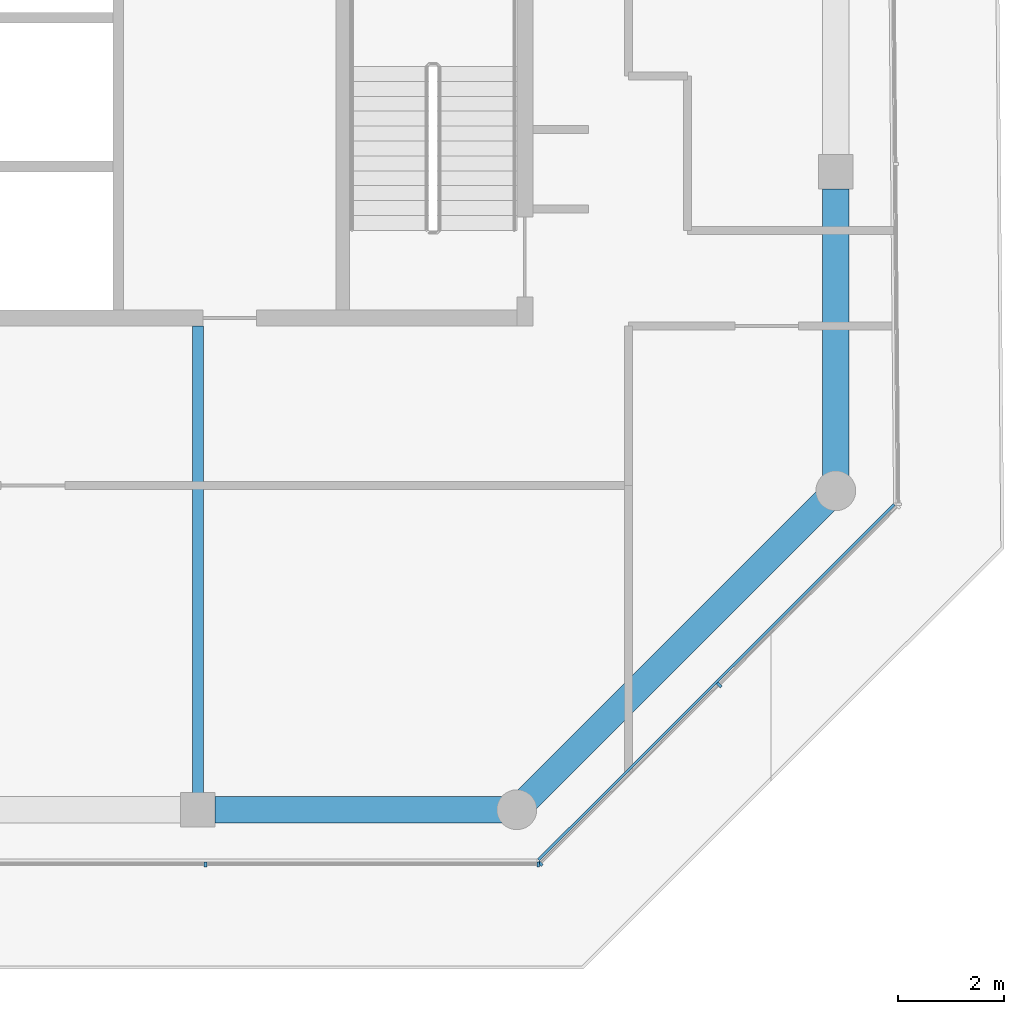
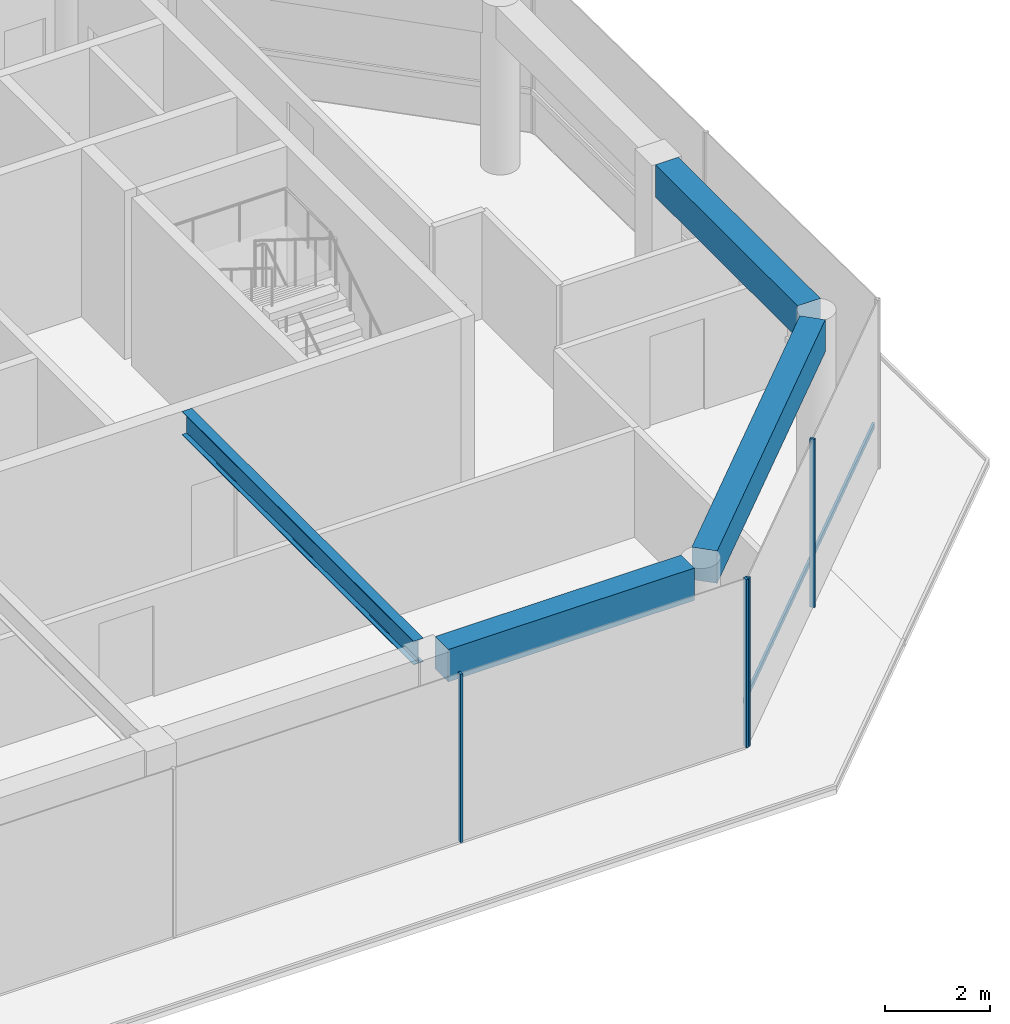
# One storey, part 4 of 21: 5 members, 4 beams, 2 elements without a shape of their own.
"""IFC4 building model written with IfcOpenShell, lengths in metres."""

from ifc_helpers import new_model, si_unit, direction, frame, origin, origin_2d, place, context, subcontext, project, spatial, rectangle, i_section, extrude, material, layer, layer_set, material_profile, profile_set, type_object, element, aggregate, save


model = new_model("IFC4")

# Units and contexts
model_context = context("Model", 3, precision=1e-05, world=origin(), true_north=direction((0.0, 1.0)))
body_context = subcontext(model_context, "Body", "Model", "MODEL_VIEW")
ifc_project = project(units=[si_unit("LENGTHUNIT", "METRE"), si_unit("AREAUNIT", "SQUARE_METRE"), si_unit("VOLUMEUNIT", "CUBIC_METRE"), si_unit("PLANEANGLEUNIT", "RADIAN"), si_unit("MASSUNIT", "GRAM", prefix="KILO")], contexts=[model_context])

# Site, building, storey
site_placement = place(None, origin())
site = spatial("IfcSite", under=ifc_project, at=site_placement, CompositionType="ELEMENT")
building_placement = place(site_placement, origin())
building = spatial("IfcBuilding", under=site, at=building_placement, Name="Welwitschia Terrace Campus", CompositionType="ELEMENT")
storey_placement = place(building_placement, frame((0.0, 0.0, 331.39990234375)))
storey = spatial("IfcBuildingStorey", under=building, at=storey_placement, Name="L74", CompositionType="ELEMENT", Elevation=331.39990234375)

# Beam
ifc_material_1 = material(Name="Steel S355", Category="steel")
ifc_material_profile_1 = material_profile(ifc_material_1, i_section(OverallWidth=0.2099609375, OverallDepth=0.550048828125, WebThickness=0.010986328125, FlangeThickness=0.01708984375, FilletRadius=0.02392578125, at=origin_2d()))
ifc_profile_set_1 = profile_set([ifc_material_profile_1], Name="Steel S355")
beam_type_1 = type_object("IfcBeamType", Name="Interior girder IPE 550", PredefinedType="BEAM", material=ifc_profile_set_1)
beam_1_placement = place(storey_placement, frame((18.0, -3.6845703125, 3.625), z_axis=(0.0, 1.0, 0.0), x_axis=(-1.0, 0.0, 0.0)))
element("IfcBeam", 1, at=beam_1_placement, inside=storey, type_object=beam_type_1, Name="Girder GB7", PredefinedType="BEAM", context=body_context, shape_type="SweptSolid", body=[
    extrude(i_section(OverallWidth=0.2099609375, OverallDepth=0.550048828125, WebThickness=0.010986328125, FlangeThickness=0.01708984375, FilletRadius=0.02392578125, at=origin_2d()), origin(), (0.0, 0.0, 1.0), 8.78369140625),
])

# Curtain wall, members
ifc_material_2 = material(Name="Bronze anodised aluminium", Category="aluminium")
ifc_layer = layer(ifc_material_2, 0.10009765625)
ifc_layer_set = layer_set([ifc_layer], Name="Bronze anodised aluminium")
curtain_wall_type = type_object("IfcCurtainWallType", Name="Curtain wall CW5 crown 6000", PredefinedType="NOTDEFINED", material=ifc_layer_set)
curtain_wall_1_placement = place(storey_placement, origin())
curtain_wall_1 = element("IfcCurtainWall", 2, at=curtain_wall_1_placement, inside=storey, type_object=curtain_wall_type, Name="CW L74.3.0", PredefinedType="NOTDEFINED")
ifc_material_3 = material(Name="Bronze anodised aluminium", Category="aluminium")
ifc_material_profile_2 = material_profile(ifc_material_3, rectangle(XDim=0.10009765625, YDim=0.050048828125, at=origin_2d()))
ifc_profile_set_2 = profile_set([ifc_material_profile_2], Name="Bronze anodised aluminium")
member_type_1 = type_object("IfcMemberType", Name="Mullion 50x100", PredefinedType="MULLION", material=ifc_profile_set_2)
member_1_placement = place(storey_placement, frame((18.14208984375, -5.030029296875, 0.0), z_axis=(0.0, 0.0, 1.0), x_axis=(0.0, 1.0, 0.0)))
member_1 = element("IfcMember", 3, at=member_1_placement, type_object=member_type_1, Name="Mullion L74.3.0.2", PredefinedType="MULLION", context=body_context, shape_type="SweptSolid", body=[
    extrude(rectangle(XDim=0.10009765625, YDim=0.050048828125, at=origin_2d()), origin(), (0.0, 0.0, 1.0), 3.900146484375),
])
member_2_placement = place(storey_placement, frame((24.401611328125, -5.030029296875, 0.0), z_axis=(0.0, 0.0, 1.0), x_axis=(0.0, 1.0, 0.0)))
member_2 = element("IfcMember", 4, at=member_2_placement, type_object=member_type_1, Name="Mullion L74.3.0.3", PredefinedType="MULLION", context=body_context, shape_type="SweptSolid", body=[
    extrude(rectangle(XDim=0.10009765625, YDim=0.050048828125, at=origin_2d()), origin(), (0.0, 0.0, 1.0), 3.900146484375),
])
aggregate(curtain_wall_1, [member_1, member_2])

curtain_wall_2_placement = place(storey_placement, origin())
curtain_wall_2 = element("IfcCurtainWall", 5, at=curtain_wall_2_placement, inside=storey, type_object=curtain_wall_type, Name="CW L74.4.0", PredefinedType="NOTDEFINED")
member_3_placement = place(storey_placement, frame((24.4443359375, -5.012451171875, 0.0), z_axis=(0.0, 0.0, 1.0), x_axis=(-0.706588158404, 0.707625023867, 0.0)))
member_3 = element("IfcMember", 6, at=member_3_placement, type_object=member_type_1, Name="Mullion L74.4.0.0", PredefinedType="MULLION", context=body_context, shape_type="SweptSolid", body=[
    extrude(rectangle(XDim=0.10009765625, YDim=0.050048828125, at=origin_2d()), origin(), (0.0, 0.0, 1.0), 3.900146484375),
])
member_4_placement = place(storey_placement, frame((27.807373046875, -1.654296875, 0.0), z_axis=(0.0, 0.0, 1.0), x_axis=(-0.706588158404, 0.707625023867, 0.0)))
member_4 = element("IfcMember", 7, at=member_4_placement, type_object=member_type_1, Name="Mullion L74.4.0.1", PredefinedType="MULLION", context=body_context, shape_type="SweptSolid", body=[
    extrude(rectangle(XDim=0.10009765625, YDim=0.050048828125, at=origin_2d()), origin(), (0.0, 0.0, 1.0), 3.900146484375),
])

# Beams
ifc_material_4 = material(Name="Concrete C40/50", Category="concrete")
ifc_material_profile_3 = material_profile(ifc_material_4, rectangle(XDim=0.5, YDim=0.75, at=origin_2d()))
ifc_profile_set_3 = profile_set([ifc_material_profile_3], Name="Concrete C40/50")
beam_type_2 = type_object("IfcBeamType", Name="Ring spandrel 500x750", PredefinedType="SPANDREL", material=ifc_profile_set_3)
beam_2_placement = place(storey_placement, frame((18.325439453125, -4.0, 3.525146484375), z_axis=(1.0, 0.0, 0.0), x_axis=(0.0, 1.0, 0.0)))
element("IfcBeam", 8, at=beam_2_placement, inside=storey, type_object=beam_type_2, Name="Spandrel SP5", PredefinedType="SPANDREL", context=body_context, shape_type="SweptSolid", body=[
    extrude(rectangle(XDim=0.5, YDim=0.75, at=origin_2d()), origin(), (0.0, 0.0, 1.0), 5.39404296875),
])
beam_3_placement = place(storey_placement, frame((24.1982421875, -3.8017578125, 3.525146484375), z_axis=(0.707106781187, 0.707106781187, 0.0), x_axis=(-0.707106781187, 0.707106781187, 0.0)))
element("IfcBeam", 9, at=beam_3_placement, inside=storey, type_object=beam_type_2, Name="Spandrel SP5", PredefinedType="SPANDREL", context=body_context, shape_type="SweptSolid", body=[
    extrude(rectangle(XDim=0.5, YDim=0.75, at=origin_2d()), origin(), (0.0, 0.0, 1.0), 7.924560546875),
])
beam_4_placement = place(storey_placement, frame((30.0, 2.280517578125, 3.525146484375), z_axis=(0.0, 1.0, 0.0), x_axis=(-1.0, 0.0, 0.0)))
element("IfcBeam", 10, at=beam_4_placement, inside=storey, type_object=beam_type_2, Name="Spandrel SP5", PredefinedType="SPANDREL", context=body_context, shape_type="SweptSolid", body=[
    extrude(rectangle(XDim=0.5, YDim=0.75, at=origin_2d()), origin(), (0.0, 0.0, 1.0), 5.39404296875),
])

# Member
ifc_material_5 = material(Name="Bronze anodised aluminium", Category="aluminium")
ifc_material_profile_4 = material_profile(ifc_material_5, rectangle(XDim=0.050048828125, YDim=0.1201171875, at=origin_2d()))
ifc_profile_set_4 = profile_set([ifc_material_profile_4], Name="Bronze anodised aluminium")
member_type_2 = type_object("IfcMemberType", Name="Transom 50x120", PredefinedType="USERDEFINED", material=ifc_profile_set_4)
member_5_placement = place(storey_placement, frame((24.408935546875, -4.941650390625, 1.0), z_axis=(0.707623011519, 0.706590173699, 0.0), x_axis=(-0.706590173699, 0.707623011519, 0.0)))
member_5 = element("IfcMember", 11, at=member_5_placement, type_object=member_type_2, Name="Transom L74.4.0", ObjectType="TRANSOM", PredefinedType="USERDEFINED", context=body_context, shape_type="SweptSolid", body=[
    extrude(rectangle(XDim=0.050048828125, YDim=0.1201171875, at=origin_2d()), origin(), (0.0, 0.0, 1.0), 9.455078125),
])

aggregate(curtain_wall_2, [member_3, member_4, member_5])

save(model, "model.ifc")
